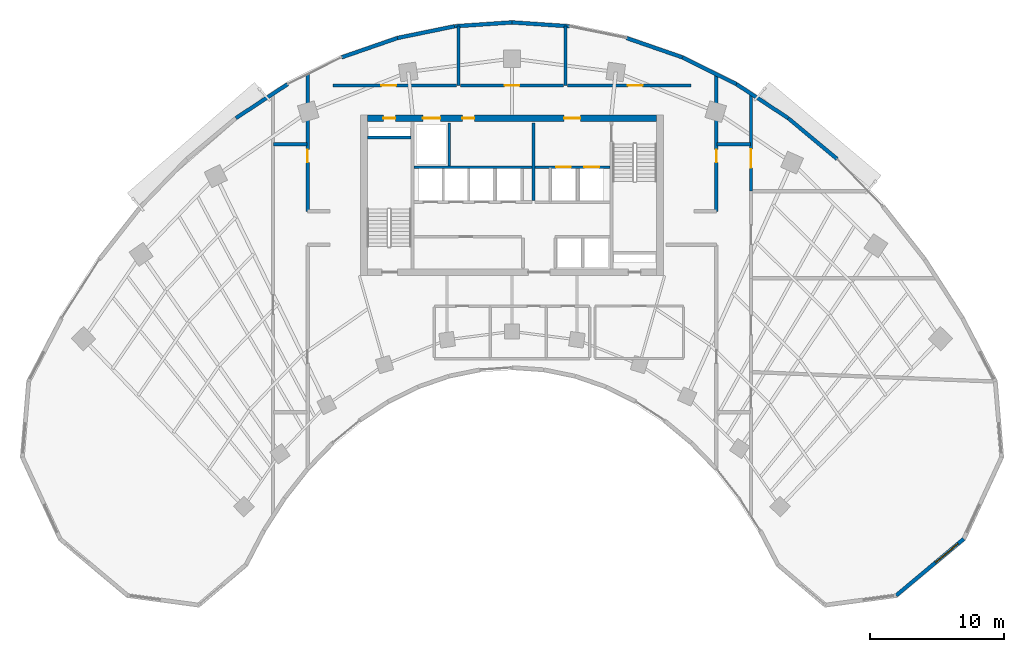
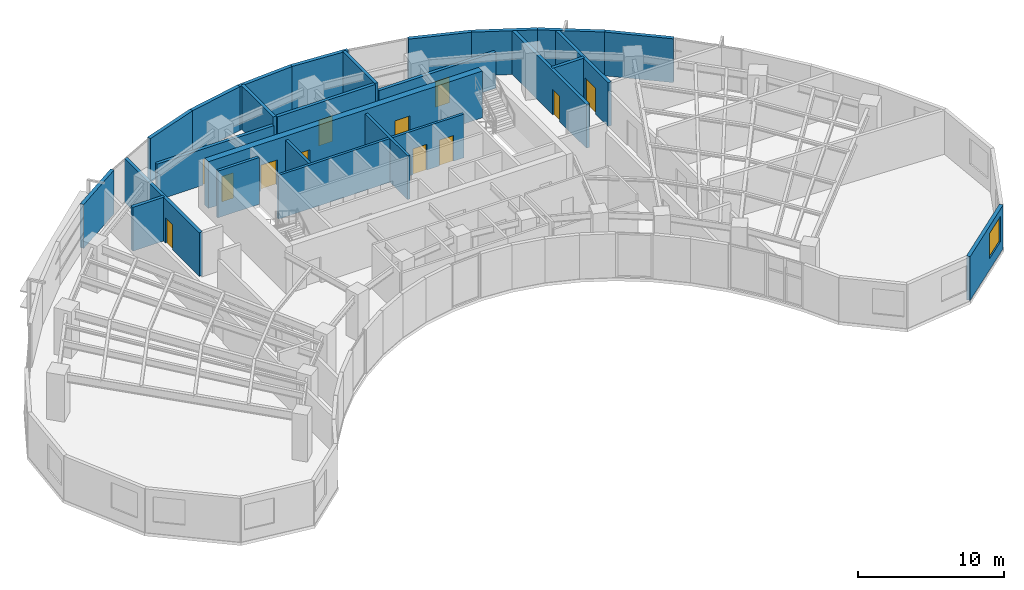
# One storey, part 10 of 13: 26 walls, 12 doors, 1 window, 13 openings.
"""IFC4 building model written with IfcOpenShell, lengths in metres."""

from ifc_helpers import new_model, si_unit, direction, frame, frame_2d, origin, place, context, subcontext, project, spatial, rectangle, extrude, source, transform, mapped, material, layer, layer_set, type_object, type_shapes, element, fill, save


model = new_model("IFC4")

# Units and contexts
model_context = context("Model", 3, precision=1e-05, world=origin(), true_north=direction((0.0, 1.0)))
body_context = subcontext(model_context, "Body", "Model", "MODEL_VIEW")
ifc_project = project(units=[si_unit("LENGTHUNIT", "METRE"), si_unit("AREAUNIT", "SQUARE_METRE"), si_unit("VOLUMEUNIT", "CUBIC_METRE"), si_unit("PLANEANGLEUNIT", "RADIAN"), si_unit("MASSUNIT", "GRAM", prefix="KILO")], contexts=[model_context])

# Site, building, storey
site_placement = place(None, origin())
site = spatial("IfcSite", under=ifc_project, at=site_placement, CompositionType="ELEMENT")
building_placement = place(site_placement, origin())
building = spatial("IfcBuilding", under=site, at=building_placement, Name="Breltana Convention Tower", CompositionType="ELEMENT")
storey_placement = place(building_placement, frame((0.0, 0.0, 127.199951171875)))
storey = spatial("IfcBuildingStorey", under=building, at=storey_placement, Name="L30", CompositionType="ELEMENT", Elevation=127.199951171875)

# Wall, openings, doors
ifc_material_1 = material(Name="Concrete C60/75", Category="concrete")
ifc_layer_1 = layer(ifc_material_1, 0.5, Name="Concrete C60/75")
ifc_layer_set_1 = layer_set([ifc_layer_1], Name="Concrete C60/75")
wall_type_1 = type_object("IfcWallType", Name="SW-CORE-500", PredefinedType="SHEAR", material=ifc_layer_set_1)
shared_shape_1 = source(origin(), body_context, "Body", "SweptSolid", [
    extrude(rectangle(XDim=21.60009765625, YDim=0.5, at=frame_2d((10.800048828125, 0.0))), origin(), (0.0, 0.0, 1.0), 3.900146484375),
])
wall_1_placement = place(storey_placement, frame((37.199951171875, 71.949951171875, 0.0), z_axis=(0.0, 0.0, 1.0), x_axis=(1.0, 0.0, 0.0)))
wall_1 = element("IfcWall", 1, at=wall_1_placement, inside=storey, type_object=wall_type_1, Name="L30 North Core Shear Wall", PredefinedType="SHEAR", context=body_context, shape_type="MappedRepresentation", body=[
    mapped(shared_shape_1, transform((0.0, 0.0, 0.0), scale=1.0)),
])
opening_1_placement = place(wall_1_placement, frame((1.199951171875, 0.0, 0.0)))
opening_1 = element("IfcOpeningElement", 2, at=opening_1_placement, cuts=wall_1, Name="Opening D-18", PredefinedType="OPENING", context=body_context, shape_type="SweptSolid", body=[
    extrude(rectangle(XDim=0.89990234375, YDim=2.10009765625, at=frame_2d((0.449951171875, 1.050048828125))), frame((0.0, 0.260009765625, 0.0), z_axis=(0.0, -1.0, 0.0), x_axis=(1.0, 0.0, 0.0)), (0.0, 0.0, 1.0), 0.52001953125),
])
opening_2_placement = place(wall_1_placement, frame((14.699951171875, 0.0, 0.0)))
opening_2 = element("IfcOpeningElement", 3, at=opening_2_placement, cuts=wall_1, Name="Opening D-09", PredefinedType="OPENING", context=body_context, shape_type="SweptSolid", body=[
    extrude(rectangle(XDim=1.199951171875, YDim=2.14990234375, at=frame_2d((0.60009765625, 1.074951171875))), frame((0.0, 0.260009765625, 0.0), z_axis=(0.0, -1.0, 0.0), x_axis=(1.0, 0.0, 0.0)), (0.0, 0.0, 1.0), 0.52001953125),
])
opening_3_placement = place(wall_1_placement, frame((4.14990234375, 0.0, 0.0)))
opening_3 = element("IfcOpeningElement", 4, at=opening_3_placement, cuts=wall_1, Name="Opening LD-01", PredefinedType="OPENING", context=body_context, shape_type="SweptSolid", body=[
    extrude(rectangle(XDim=1.300048828125, YDim=2.14990234375, at=frame_2d((0.64990234375, 1.074951171875))), frame((0.0, 0.260009765625, 0.0), z_axis=(0.0, -1.0, 0.0), x_axis=(1.0, 0.0, 0.0)), (0.0, 0.0, 1.0), 0.52001953125),
])
opening_4_placement = place(wall_1_placement, frame((7.10009765625, 0.0, 0.0)))
opening_4 = element("IfcOpeningElement", 5, at=opening_4_placement, cuts=wall_1, Name="Opening D-18", PredefinedType="OPENING", context=body_context, shape_type="SweptSolid", body=[
    extrude(rectangle(XDim=0.89990234375, YDim=2.10009765625, at=frame_2d((0.449951171875, 1.050048828125))), frame((0.0, 0.260009765625, 0.0), z_axis=(0.0, -1.0, 0.0), x_axis=(1.0, 0.0, 0.0)), (0.0, 0.0, 1.0), 0.52001953125),
])
ifc_material_2 = material(Name="Steel Riser Fire Door", Category="steel")
door_type_1 = type_object("IfcDoorType", Name="DR-FD60-900", OperationType="NOTDEFINED", PredefinedType="DOOR", material=ifc_material_2)
shared_shape_2 = source(origin(), body_context, "Body", "SweptSolid", [
    extrude(rectangle(XDim=0.89990234375, YDim=2.10009765625, at=frame_2d((0.449951171875, 1.050048828125))), frame((0.0, 0.02490234375, 0.0), z_axis=(0.0, -1.0, 0.0), x_axis=(1.0, 0.0, 0.0)), (0.0, 0.0, 1.0), 0.050048828125),
])
type_shapes(door_type_1, [shared_shape_2])
door_1_placement = place(opening_1_placement, origin())
door_1 = element("IfcDoor", 6, at=door_1_placement, inside=storey, type_object=door_type_1, Name="L30 Core Riser Access Door D-L30-RS1", OperationType="SINGLE_SWING_LEFT", OverallHeight=2.10009765625, OverallWidth=0.89990234375, PredefinedType="DOOR", context=body_context, shape_type="MappedRepresentation", body=[
    mapped(shared_shape_2, transform((0.0, 0.0, 0.0), scale=1.0)),
])
fill(opening_1, door_1)
door_2_placement = place(opening_4_placement, origin())
door_2 = element("IfcDoor", 7, at=door_2_placement, inside=storey, type_object=door_type_1, Name="L30 interior door D-L30-CRA1", OperationType="SINGLE_SWING_RIGHT", OverallHeight=2.10009765625, OverallWidth=0.89990234375, PredefinedType="DOOR", context=body_context, shape_type="MappedRepresentation", body=[
    mapped(shared_shape_2, transform((0.0, 0.0, 0.0), scale=1.0)),
])
fill(opening_4, door_2)
ifc_material_3 = material(Name="Steel Fire Lobby Door", Category="steel")
door_type_2 = type_object("IfcDoorType", Name="DR-FD120-1200", OperationType="NOTDEFINED", PredefinedType="DOOR", material=ifc_material_3)
shared_shape_3 = source(origin(), body_context, "Body", "SweptSolid", [
    extrude(rectangle(XDim=1.199951171875, YDim=2.14990234375, at=frame_2d((0.60009765625, 1.074951171875))), frame((0.0, 0.02490234375, 0.0), z_axis=(0.0, -1.0, 0.0), x_axis=(1.0, 0.0, 0.0)), (0.0, 0.0, 1.0), 0.050048828125),
])
type_shapes(door_type_2, [shared_shape_3])
door_3_placement = place(opening_2_placement, origin())
door_3 = element("IfcDoor", 8, at=door_3_placement, inside=storey, type_object=door_type_2, Name="L30 interior door D-L30-FFL-N", OperationType="SINGLE_SWING_RIGHT", OverallHeight=2.14990234375, OverallWidth=1.199951171875, PredefinedType="DOOR", context=body_context, shape_type="MappedRepresentation", body=[
    mapped(shared_shape_3, transform((0.0, 0.0, 0.0), scale=1.0)),
])
fill(opening_2, door_3)
ifc_material_4 = material(Name="Stainless Steel Brushed", Category="steel")
door_type_3 = type_object("IfcDoorType", Name="DR-LD-SRV-1300", OperationType="DOUBLE_DOOR_SLIDING", PredefinedType="DOOR", material=ifc_material_4)
shared_shape_4 = source(origin(), body_context, "Body", "SweptSolid", [
    extrude(rectangle(XDim=1.300048828125, YDim=2.14990234375, at=frame_2d((0.64990234375, 1.074951171875))), frame((0.0, 0.02490234375, 0.0), z_axis=(0.0, -1.0, 0.0), x_axis=(1.0, 0.0, 0.0)), (0.0, 0.0, 1.0), 0.050048828125),
])
type_shapes(door_type_3, [shared_shape_4])
door_4_placement = place(opening_3_placement, origin())
door_4 = element("IfcDoor", 9, at=door_4_placement, inside=storey, type_object=door_type_3, Name="L30 Lift Landing Door D-L30-LD-SV1", OperationType="DOUBLE_DOOR_SLIDING", OverallHeight=2.14990234375, OverallWidth=1.300048828125, PredefinedType="DOOR", context=body_context, shape_type="MappedRepresentation", body=[
    mapped(shared_shape_4, transform((0.0, 0.0, 0.0), scale=1.0)),
])
fill(opening_3, door_4)

# Wall
ifc_material_5 = material(Name="Concrete C50/60", Category="concrete")
ifc_layer_2 = layer(ifc_material_5, 0.39990234375, Name="Concrete C50/60")
ifc_layer_set_2 = layer_set([ifc_layer_2], Name="Concrete C50/60")
wall_type_2 = type_object("IfcWallType", Name="SW-CORE-400", PredefinedType="SHEAR", material=ifc_layer_set_2)
shared_shape_5 = source(origin(), body_context, "Body", "SweptSolid", [
    extrude(rectangle(XDim=3.27001953125, YDim=0.219970703125, at=frame_2d((1.635009765625, 0.0))), origin(), (0.0, 0.0, 1.0), 3.900146484375),
])
wall_2_placement = place(storey_placement, frame((37.199951171875, 70.510009765625, 0.0), z_axis=(0.0, 0.0, 1.0), x_axis=(1.0, 0.0, 0.0)))
element("IfcWall", 10, at=wall_2_placement, inside=storey, type_object=wall_type_2, Name="L30 ST-1 Stairwell North Bearing Wall", PredefinedType="SHEAR", context=body_context, shape_type="MappedRepresentation", body=[
    mapped(shared_shape_5, transform((0.0, 0.0, 0.0), scale=1.0)),
])

# Wall, opening, window
ifc_material_6 = material(Name="Limestone Buff Insulated Wall", Category="masonry")
ifc_layer_3 = layer(ifc_material_6, 0.280029296875, Name="Limestone Buff Insulated Wall")
ifc_layer_set_3 = layer_set([ifc_layer_3], Name="Limestone Buff Insulated Wall")
wall_type_3 = type_object("IfcWallType", Name="WL-EXT-NOSE-280", PredefinedType="SOLIDWALL", material=ifc_layer_set_3)
shared_shape_6 = source(origin(), body_context, "Body", "SweptSolid", [
    extrude(rectangle(XDim=6.572998046875, YDim=0.280029296875, at=frame_2d((3.28662109375, 0.0))), origin(), (0.0, 0.0, 1.0), 3.650146484375),
])
wall_3_placement = place(storey_placement, frame((81.725341796875, 40.541259765625, 0.0), z_axis=(0.0, 0.0, 1.0), x_axis=(-0.766715154163, -0.641987439423, 0.0)))
wall_3 = element("IfcWall", 11, at=wall_3_placement, inside=storey, type_object=wall_type_3, Name="L30 curved limestone nose wall E3", PredefinedType="SOLIDWALL", context=body_context, shape_type="MappedRepresentation", body=[
    mapped(shared_shape_6, transform((0.0, 0.0, 0.0), scale=1.0)),
])
opening_5_placement = place(wall_3_placement, frame((0.543212890625, 0.0, 0.949951171875)))
opening_5 = element("IfcOpeningElement", 12, at=opening_5_placement, cuts=wall_3, Name="Opening W-03", PredefinedType="OPENING", context=body_context, shape_type="SweptSolid", body=[
    extrude(rectangle(XDim=2.199951171875, YDim=2.10009765625, at=frame_2d((1.10009765625, 1.050048828125))), frame((0.0, 0.14990234375, 0.0), z_axis=(0.0, -1.0, 0.0), x_axis=(1.0, 0.0, 0.0)), (0.0, 0.0, 1.0), 0.300048828125),
])
ifc_material_7 = material(Name="Glass Low-E Insulated Window", Category="glass")
window_type = type_object("IfcWindowType", Name="WN-NOSE-2200X2100", PartitioningType="TRIPLE_PANEL_VERTICAL", PredefinedType="WINDOW", material=ifc_material_7)
shared_shape_7 = source(origin(), body_context, "Body", "SweptSolid", [
    extrude(rectangle(XDim=2.199951171875, YDim=2.10009765625, at=frame_2d((1.10009765625, 1.050048828125))), frame((0.0, 0.030029296875, 0.0), z_axis=(0.0, -1.0, 0.0), x_axis=(1.0, 0.0, 0.0)), (0.0, 0.0, 1.0), 0.06005859375),
])
type_shapes(window_type, [shared_shape_7])
window_placement = place(opening_5_placement, origin())
window = element("IfcWindow", 13, at=window_placement, inside=storey, type_object=window_type, Name="L30 nose window E3", OverallHeight=2.10009765625, OverallWidth=2.199951171875, PartitioningType="TRIPLE_PANEL_VERTICAL", PredefinedType="WINDOW", context=body_context, shape_type="MappedRepresentation", body=[
    mapped(shared_shape_7, transform((0.0, 0.0, 0.0), scale=1.0)),
])
fill(opening_5, window)

# Walls
shared_shape_8 = source(origin(), body_context, "Body", "SweptSolid", [
    extrude(rectangle(XDim=4.76220703125, YDim=0.280029296875, at=frame_2d((2.381103515625, 0.0))), origin(), (0.0, 0.0, 1.0), 3.650146484375),
])
wall_4_placement = place(storey_placement, frame((68.6181640625, 71.957763671875, 0.0), z_axis=(0.0, 0.0, 1.0), x_axis=(0.767952279762, -0.640507061638, 0.0)))
element("IfcWall", 14, at=wall_4_placement, inside=storey, type_object=wall_type_3, Name="L30 curved limestone nose wall E31", PredefinedType="SOLIDWALL", context=body_context, shape_type="MappedRepresentation", body=[
    mapped(shared_shape_8, transform((0.0, 0.0, 0.0), scale=1.0)),
])
shared_shape_9 = source(origin(), body_context, "Body", "SweptSolid", [
    extrude(rectangle(XDim=4.625732421875, YDim=0.280029296875, at=frame_2d((2.31298828125, 0.0))), origin(), (0.0, 0.0, 1.0), 3.650146484375),
])
for number, where, z_axis, x_axis, name in (
    (15, (27.3818359375, 71.957763671875, 0.0), (0.0, 0.0, 1.0), (0.83595938331, 0.548791316855, 0.0), "L30 curved limestone nose wall E23"),
    (16, (64.751220703125, 74.496337890625, 0.0), (0.0, 0.0, 1.0), (0.83595938331, -0.548791316855, 0.0), "L30 curved limestone nose wall E30"),
):
    element("IfcWall", number, at=place(storey_placement, frame(where, z_axis=z_axis, x_axis=x_axis)), inside=storey, type_object=wall_type_3, Name=name, PredefinedType="SOLIDWALL", context=body_context, shape_type="MappedRepresentation", body=[
        mapped(shared_shape_9, transform((0.0, 0.0, 0.0), scale=1.0)),
    ])
shared_shape_10 = source(origin(), body_context, "Body", "SweptSolid", [
    extrude(rectangle(XDim=4.408935546875, YDim=0.280029296875, at=frame_2d((2.20458984375, 0.0))), origin(), (0.0, 0.0, 1.0), 3.650146484375),
])
for number, where, z_axis, x_axis, name in (
    (17, (35.28564453125, 76.497314453125, 0.0), (0.0, 0.0, 1.0), (0.944879374121, 0.327418643881, 0.0), "L30 curved limestone nose wall E24"),
    (18, (56.54833984375, 77.94091796875, 0.0), (0.0, 0.0, 1.0), (0.944879374121, -0.327418643881, 0.0), "L30 curved limestone nose wall E28"),
):
    element("IfcWall", number, at=place(storey_placement, frame(where, z_axis=z_axis, x_axis=x_axis)), inside=storey, type_object=wall_type_3, Name=name, PredefinedType="SOLIDWALL", context=body_context, shape_type="MappedRepresentation", body=[
        mapped(shared_shape_10, transform((0.0, 0.0, 0.0), scale=1.0)),
    ])
shared_shape_11 = source(origin(), body_context, "Body", "SweptSolid", [
    extrude(rectangle(XDim=4.3408203125, YDim=0.280029296875, at=frame_2d((2.17041015625, 0.0))), origin(), (0.0, 0.0, 1.0), 3.650146484375),
])
wall_5_placement = place(storey_placement, frame((39.45166015625, 77.94091796875, 0.0), z_axis=(0.0, 0.0, 1.0), x_axis=(0.979612918634, 0.20089432457, 0.0)))
element("IfcWall", 19, at=wall_5_placement, inside=storey, type_object=wall_type_3, Name="L30 curved limestone nose wall E25", PredefinedType="SOLIDWALL", context=body_context, shape_type="MappedRepresentation", body=[
    mapped(shared_shape_11, transform((0.0, 0.0, 0.0), scale=1.0)),
])
shared_shape_12 = source(origin(), body_context, "Body", "SweptSolid", [
    extrude(rectangle(XDim=4.3056640625, YDim=0.280029296875, at=frame_2d((2.15283203125, 0.0))), origin(), (0.0, 0.0, 1.0), 3.650146484375),
])
for number, where, z_axis, x_axis, name in (
    (20, (43.7041015625, 78.81298828125, 0.0), (0.0, 0.0, 1.0), (0.997705679258, 0.067700646797, 0.0), "L30 curved limestone nose wall E26"),
    (21, (48.0, 79.1044921875, 0.0), (0.0, 0.0, 1.0), (0.997705679258, -0.067700646797, 0.0), "L30 curved limestone nose wall E27"),
):
    element("IfcWall", number, at=place(storey_placement, frame(where, z_axis=z_axis, x_axis=x_axis)), inside=storey, type_object=wall_type_3, Name=name, PredefinedType="SOLIDWALL", context=body_context, shape_type="MappedRepresentation", body=[
        mapped(shared_shape_12, transform((0.0, 0.0, 0.0), scale=1.0)),
    ])
shared_shape_13 = source(origin(), body_context, "Body", "SweptSolid", [
    extrude(rectangle(XDim=4.505615234375, YDim=0.280029296875, at=frame_2d((2.2529296875, 0.0))), origin(), (0.0, 0.0, 1.0), 3.650146484375),
])
wall_6_placement = place(storey_placement, frame((60.71435546875, 76.497314453125, 0.0), z_axis=(0.0, 0.0, 1.0), x_axis=(0.89597155075, -0.444111450254, 0.0)))
element("IfcWall", 22, at=wall_6_placement, inside=storey, type_object=wall_type_3, Name="L30 curved limestone nose wall E29", PredefinedType="SOLIDWALL", context=body_context, shape_type="MappedRepresentation", body=[
    mapped(shared_shape_13, transform((0.0, 0.0, 0.0), scale=1.0)),
])

# Wall, openings, doors
ifc_material_8 = material(Name="Autoclaved Aerated Concrete Block", Category="concrete")
ifc_layer_4 = layer(ifc_material_8, 0.199951171875, Name="Autoclaved Aerated Concrete Block")
ifc_layer_set_4 = layer_set([ifc_layer_4], Name="Autoclaved Aerated Concrete Block")
wall_type_4 = type_object("IfcWallType", Name="WL-SHAFT-200", PredefinedType="SOLIDWALL", material=ifc_layer_set_4)
shared_shape_14 = source(origin(), body_context, "Body", "SweptSolid", [
    extrude(rectangle(XDim=5.6201171875, YDim=0.199951171875, at=frame_2d((2.81005859375, 0.0))), origin(), (0.0, 0.0, 1.0), 3.650146484375),
])
wall_7_placement = place(storey_placement, frame((49.699951171875, 68.300048828125, 0.0), z_axis=(0.0, 0.0, 1.0), x_axis=(1.0, 0.0, 0.0)))
wall_7 = element("IfcWall", 23, at=wall_7_placement, inside=storey, type_object=wall_type_4, Name="L30 interior partition W-L30-FFL-S", PredefinedType="SOLIDWALL", context=body_context, shape_type="MappedRepresentation", body=[
    mapped(shared_shape_14, transform((0.0, 0.0, 0.0), scale=1.0)),
])
opening_6_placement = place(wall_7_placement, frame((1.60009765625, 0.0, 0.0)))
opening_6 = element("IfcOpeningElement", 24, at=opening_6_placement, cuts=wall_7, Name="Opening LD-03", PredefinedType="OPENING", context=body_context, shape_type="SweptSolid", body=[
    extrude(rectangle(XDim=1.10009765625, YDim=2.14990234375, at=frame_2d((0.550048828125, 1.074951171875))), frame((0.0, 0.10986328125, 0.0), z_axis=(0.0, -1.0, 0.0), x_axis=(1.0, 0.0, 0.0)), (0.0, 0.0, 1.0), 0.219970703125),
])
opening_7_placement = place(wall_7_placement, frame((3.699951171875, 0.0, 0.0)))
opening_7 = element("IfcOpeningElement", 25, at=opening_7_placement, cuts=wall_7, Name="Opening LD-03", PredefinedType="OPENING", context=body_context, shape_type="SweptSolid", body=[
    extrude(rectangle(XDim=1.10009765625, YDim=2.14990234375, at=frame_2d((0.550048828125, 1.074951171875))), frame((0.0, 0.10986328125, 0.0), z_axis=(0.0, -1.0, 0.0), x_axis=(1.0, 0.0, 0.0)), (0.0, 0.0, 1.0), 0.219970703125),
])
door_type_4 = type_object("IfcDoorType", Name="DR-LD-FF-1100", OperationType="DOUBLE_DOOR_SLIDING", PredefinedType="DOOR", material=ifc_material_4)
shared_shape_15 = source(origin(), body_context, "Body", "SweptSolid", [
    extrude(rectangle(XDim=1.10009765625, YDim=2.14990234375, at=frame_2d((0.550048828125, 1.074951171875))), frame((0.0, 0.02490234375, 0.0), z_axis=(0.0, -1.0, 0.0), x_axis=(1.0, 0.0, 0.0)), (0.0, 0.0, 1.0), 0.050048828125),
])
type_shapes(door_type_4, [shared_shape_15])
door_5_placement = place(opening_6_placement, origin())
door_5 = element("IfcDoor", 26, at=door_5_placement, inside=storey, type_object=door_type_4, Name="L30 Lift Landing Door D-L30-LD-FL1", OperationType="DOUBLE_DOOR_SLIDING", OverallHeight=2.14990234375, OverallWidth=1.10009765625, PredefinedType="DOOR", context=body_context, shape_type="MappedRepresentation", body=[
    mapped(shared_shape_15, transform((0.0, 0.0, 0.0), scale=1.0)),
])
fill(opening_6, door_5)
door_6_placement = place(opening_7_placement, origin())
door_6 = element("IfcDoor", 27, at=door_6_placement, inside=storey, type_object=door_type_4, Name="L30 Lift Landing Door D-L30-LD-FL2", OperationType="DOUBLE_DOOR_SLIDING", OverallHeight=2.14990234375, OverallWidth=1.10009765625, PredefinedType="DOOR", context=body_context, shape_type="MappedRepresentation", body=[
    mapped(shared_shape_15, transform((0.0, 0.0, 0.0), scale=1.0)),
])
fill(opening_7, door_6)

# Walls
shared_shape_16 = source(origin(), body_context, "Body", "SweptSolid", [
    extrude(rectangle(XDim=5.800048828125, YDim=0.199951171875, at=frame_2d((2.89990234375, 0.0))), origin(), (0.0, 0.0, 1.0), 3.650146484375),
])
wall_8_placement = place(storey_placement, frame((49.60009765625, 65.800048828125, 0.0), z_axis=(0.0, 0.0, 1.0), x_axis=(0.0, 1.0, 0.0)))
element("IfcWall", 28, at=wall_8_placement, inside=storey, type_object=wall_type_4, Name="L30 interior partition W-L30-FFL-W", PredefinedType="SOLIDWALL", context=body_context, shape_type="MappedRepresentation", body=[
    mapped(shared_shape_16, transform((0.0, 0.0, 0.0), scale=1.0)),
])
shared_shape_17 = source(origin(), body_context, "Body", "SweptSolid", [
    extrude(rectangle(XDim=3.2001953125, YDim=0.199951171875, at=frame_2d((1.60009765625, 0.0))), origin(), (0.0, 0.0, 1.0), 3.650146484375),
])
wall_9_placement = place(storey_placement, frame((43.320068359375, 68.39990234375, 0.0), z_axis=(0.0, 0.0, 1.0), x_axis=(0.0, 1.0, 0.0)))
element("IfcWall", 29, at=wall_9_placement, inside=storey, type_object=wall_type_4, Name="L30 interior partition W-L30-SV-E", PredefinedType="SOLIDWALL", context=body_context, shape_type="MappedRepresentation", body=[
    mapped(shared_shape_17, transform((0.0, 0.0, 0.0), scale=1.0)),
])
shared_shape_18 = source(origin(), body_context, "Body", "SweptSolid", [
    extrude(rectangle(XDim=8.800048828125, YDim=0.199951171875, at=frame_2d((4.39990234375, 0.0))), origin(), (0.0, 0.0, 1.0), 3.650146484375),
])
wall_10_placement = place(storey_placement, frame((40.699951171875, 68.300048828125, 0.0), z_axis=(0.0, 0.0, 1.0), x_axis=(1.0, 0.0, 0.0)))
element("IfcWall", 30, at=wall_10_placement, inside=storey, type_object=wall_type_4, Name="L30 interior partition W-L30-SV-S", PredefinedType="SOLIDWALL", context=body_context, shape_type="MappedRepresentation", body=[
    mapped(shared_shape_18, transform((0.0, 0.0, 0.0), scale=1.0)),
])
ifc_material_9 = material(Name="Gypsum Acoustic Double Stud Wall")
ifc_layer_5 = layer(ifc_material_9, 0.25, Name="Gypsum Acoustic Double Stud Wall")
ifc_layer_set_5 = layer_set([ifc_layer_5], Name="Gypsum Acoustic Double Stud Wall")
wall_type_5 = type_object("IfcWallType", Name="WL-ACOUSTIC-250", PredefinedType="PARTITIONING", material=ifc_layer_set_5)
shared_shape_19 = source(origin(), body_context, "Body", "SweptSolid", [
    extrude(rectangle(XDim=2.5, YDim=0.25, at=frame_2d((1.25, 0.0))), origin(), (0.0, 0.0, 1.0), 3.650146484375),
])
for number, where, z_axis, x_axis, name in (
    (31, (30.199951171875, 70.0, 0.0), (0.0, 0.0, 1.0), (1.0, 0.0, 0.0), "L30 interior partition W-L30-CORNW-N"),
    (32, (63.300048828125, 70.0, 0.0), (0.0, 0.0, 1.0), (1.0, 0.0, 0.0), "L30 interior partition W-L30-CORNE-N"),
):
    element("IfcWall", number, at=place(storey_placement, frame(where, z_axis=z_axis, x_axis=x_axis)), inside=storey, type_object=wall_type_5, Name=name, PredefinedType="PARTITIONING", context=body_context, shape_type="MappedRepresentation", body=[
        mapped(shared_shape_19, transform((0.0, 0.0, 0.0), scale=1.0)),
    ])

# Wall, opening, door
shared_shape_20 = source(origin(), body_context, "Body", "SweptSolid", [
    extrude(rectangle(XDim=7.26953125, YDim=0.25, at=frame_2d((3.634765625, 0.0))), origin(), (0.0, 0.0, 1.0), 3.650146484375),
])
wall_11_placement = place(storey_placement, frame((65.840087890625, 66.5, 0.0), z_axis=(0.0, 0.0, 1.0), x_axis=(0.0, 1.0, 0.0)))
wall_11 = element("IfcWall", 33, at=wall_11_placement, inside=storey, type_object=wall_type_5, Name="L30 interior partition W-L30-ZE4-W", PredefinedType="PARTITIONING", context=body_context, shape_type="MappedRepresentation", body=[
    mapped(shared_shape_20, transform((0.0, 0.0, 0.0), scale=1.0)),
])
opening_8_placement = place(wall_11_placement, frame((1.75, 0.0, 0.0)))
opening_8 = element("IfcOpeningElement", 34, at=opening_8_placement, cuts=wall_11, Name="Opening D-05", PredefinedType="OPENING", context=body_context, shape_type="SweptSolid", body=[
    extrude(rectangle(XDim=1.39990234375, YDim=2.14990234375, at=frame_2d((0.699951171875, 1.074951171875))), frame((0.0, 0.135009765625, 0.0), z_axis=(0.0, -1.0, 0.0), x_axis=(1.0, 0.0, 0.0)), (0.0, 0.0, 1.0), 0.27001953125),
])
ifc_material_10 = material(Name="Timber Veneer Glazed Double Door", Category="wood")
door_type_5 = type_object("IfcDoorType", Name="DR-DBL-1400", OperationType="DOUBLE_DOOR_SINGLE_SWING", PredefinedType="DOOR", material=ifc_material_10)
shared_shape_21 = source(origin(), body_context, "Body", "SweptSolid", [
    extrude(rectangle(XDim=1.39990234375, YDim=2.14990234375, at=frame_2d((0.699951171875, 1.074951171875))), frame((0.0, 0.02490234375, 0.0), z_axis=(0.0, -1.0, 0.0), x_axis=(1.0, 0.0, 0.0)), (0.0, 0.0, 1.0), 0.050048828125),
])
type_shapes(door_type_5, [shared_shape_21])
door_7_placement = place(opening_8_placement, origin())
door_7 = element("IfcDoor", 35, at=door_7_placement, inside=storey, type_object=door_type_5, Name="L30 interior door D-L30-ZE4", OperationType="SINGLE_SWING_RIGHT", OverallHeight=2.14990234375, OverallWidth=1.39990234375, PredefinedType="DOOR", context=body_context, shape_type="MappedRepresentation", body=[
    mapped(shared_shape_21, transform((0.0, 0.0, 0.0), scale=1.0)),
])
fill(opening_8, door_7)

# Walls
shared_shape_22 = source(origin(), body_context, "Body", "SweptSolid", [
    extrude(rectangle(XDim=4.423095703125, YDim=0.25, at=frame_2d((2.21142578125, 0.0))), origin(), (0.0, 0.0, 1.0), 3.650146484375),
])
for number, where, z_axis, x_axis, name in (
    (36, (44.0, 74.39990234375, 0.0), (0.0, 0.0, 1.0), (0.0, 1.0, 0.0), "L30 interior partition W-L30-ZN1-E"),
    (37, (52.0, 74.39990234375, 0.0), (0.0, 0.0, 1.0), (0.0, 1.0, 0.0), "L30 interior partition W-L30-ZN2-E"),
):
    element("IfcWall", number, at=place(storey_placement, frame(where, z_axis=z_axis, x_axis=x_axis)), inside=storey, type_object=wall_type_5, Name=name, PredefinedType="PARTITIONING", context=body_context, shape_type="MappedRepresentation", body=[
        mapped(shared_shape_22, transform((0.0, 0.0, 0.0), scale=1.0)),
    ])

# Wall, opening, door
shared_shape_23 = source(origin(), body_context, "Body", "SweptSolid", [
    extrude(rectangle(XDim=7.7001953125, YDim=0.25, at=frame_2d((3.85009765625, 0.0))), origin(), (0.0, 0.0, 1.0), 3.650146484375),
])
wall_12_placement = place(storey_placement, frame((44.14990234375, 74.39990234375, 0.0), z_axis=(0.0, 0.0, 1.0), x_axis=(1.0, 0.0, 0.0)))
wall_12 = element("IfcWall", 38, at=wall_12_placement, inside=storey, type_object=wall_type_5, Name="L30 interior partition W-L30-ZN2-S", PredefinedType="PARTITIONING", context=body_context, shape_type="MappedRepresentation", body=[
    mapped(shared_shape_23, transform((0.0, 0.0, 0.0), scale=1.0)),
])
opening_9_placement = place(wall_12_placement, frame((3.300048828125, 0.0, 0.0)))
opening_9 = element("IfcOpeningElement", 39, at=opening_9_placement, cuts=wall_12, Name="Opening D-12", PredefinedType="OPENING", context=body_context, shape_type="SweptSolid", body=[
    extrude(rectangle(XDim=1.10009765625, YDim=2.14990234375, at=frame_2d((0.550048828125, 1.074951171875))), frame((0.0, 0.135009765625, 0.0), z_axis=(0.0, -1.0, 0.0), x_axis=(1.0, 0.0, 0.0)), (0.0, 0.0, 1.0), 0.27001953125),
])
ifc_material_11 = material(Name="Timber Oak Acoustic Door", Category="wood")
door_type_6 = type_object("IfcDoorType", Name="DR-INT-1100", OperationType="NOTDEFINED", PredefinedType="DOOR", material=ifc_material_11)
shared_shape_24 = source(origin(), body_context, "Body", "SweptSolid", [
    extrude(rectangle(XDim=1.10009765625, YDim=2.14990234375, at=frame_2d((0.550048828125, 1.074951171875))), frame((0.0, 0.02490234375, 0.0), z_axis=(0.0, -1.0, 0.0), x_axis=(1.0, 0.0, 0.0)), (0.0, 0.0, 1.0), 0.050048828125),
])
type_shapes(door_type_6, [shared_shape_24])
door_8_placement = place(opening_9_placement, origin())
door_8 = element("IfcDoor", 40, at=door_8_placement, inside=storey, type_object=door_type_6, Name="L30 interior door D-L30-ZN2", OperationType="SINGLE_SWING_RIGHT", OverallHeight=2.14990234375, OverallWidth=1.10009765625, PredefinedType="DOOR", context=body_context, shape_type="MappedRepresentation", body=[
    mapped(shared_shape_24, transform((0.0, 0.0, 0.0), scale=1.0)),
])
fill(opening_9, door_8)

shared_shape_25 = source(origin(), body_context, "Body", "SweptSolid", [
    extrude(rectangle(XDim=10.224365234375, YDim=0.25, at=frame_2d((5.1123046875, 0.0))), origin(), (0.0, 0.0, 1.0), 3.650146484375),
])
wall_13_placement = place(storey_placement, frame((32.739990234375, 65.0, 0.0), z_axis=(0.0, 0.0, 1.0), x_axis=(0.0, 1.0, 0.0)))
wall_13 = element("IfcWall", 41, at=wall_13_placement, inside=storey, type_object=wall_type_5, Name="L30 interior partition W-L30-ZMW2-D", PredefinedType="PARTITIONING", context=body_context, shape_type="MappedRepresentation", body=[
    mapped(shared_shape_25, transform((0.0, 0.0, 0.0), scale=1.0)),
])
opening_10_placement = place(wall_13_placement, frame((3.64990234375, 0.0, 0.0)))
opening_10 = element("IfcOpeningElement", 42, at=opening_10_placement, cuts=wall_13, Name="Opening D-17", PredefinedType="OPENING", context=body_context, shape_type="SweptSolid", body=[
    extrude(rectangle(XDim=0.949951171875, YDim=2.10009765625, at=frame_2d((0.47509765625, 1.050048828125))), frame((0.0, 0.135009765625, 0.0), z_axis=(0.0, -1.0, 0.0), x_axis=(1.0, 0.0, 0.0)), (0.0, 0.0, 1.0), 0.27001953125),
])
ifc_material_12 = material(Name="Timber Oak Veneer Door", Category="wood")
door_type_7 = type_object("IfcDoorType", Name="DR-INT-950", OperationType="NOTDEFINED", PredefinedType="DOOR", material=ifc_material_12)
shared_shape_26 = source(origin(), body_context, "Body", "SweptSolid", [
    extrude(rectangle(XDim=0.949951171875, YDim=2.10009765625, at=frame_2d((0.47509765625, 1.050048828125))), frame((0.0, 0.02490234375, 0.0), z_axis=(0.0, -1.0, 0.0), x_axis=(1.0, 0.0, 0.0)), (0.0, 0.0, 1.0), 0.050048828125),
])
type_shapes(door_type_7, [shared_shape_26])
door_9_placement = place(opening_10_placement, origin())
door_9 = element("IfcDoor", 43, at=door_9_placement, inside=storey, type_object=door_type_7, Name="L30 interior door D-L30-ZMW2", OperationType="SINGLE_SWING_LEFT", OverallHeight=2.10009765625, OverallWidth=0.949951171875, PredefinedType="DOOR", context=body_context, shape_type="MappedRepresentation", body=[
    mapped(shared_shape_26, transform((0.0, 0.0, 0.0), scale=1.0)),
])
fill(opening_10, door_9)

wall_14_placement = place(storey_placement, frame((63.260009765625, 65.0, 0.0), z_axis=(0.0, 0.0, 1.0), x_axis=(0.0, 1.0, 0.0)))
wall_14 = element("IfcWall", 44, at=wall_14_placement, inside=storey, type_object=wall_type_5, Name="L30 interior partition W-L30-ZME2-D", PredefinedType="PARTITIONING", context=body_context, shape_type="MappedRepresentation", body=[
    mapped(shared_shape_25, transform((0.0, 0.0, 0.0), scale=1.0)),
])
opening_11_placement = place(wall_14_placement, frame((3.64990234375, 0.0, 0.0)))
opening_11 = element("IfcOpeningElement", 45, at=opening_11_placement, cuts=wall_14, Name="Opening D-17", PredefinedType="OPENING", context=body_context, shape_type="SweptSolid", body=[
    extrude(rectangle(XDim=0.949951171875, YDim=2.10009765625, at=frame_2d((0.47509765625, 1.050048828125))), frame((0.0, 0.135009765625, 0.0), z_axis=(0.0, -1.0, 0.0), x_axis=(1.0, 0.0, 0.0)), (0.0, 0.0, 1.0), 0.27001953125),
])
door_10_placement = place(opening_11_placement, origin())
door_10 = element("IfcDoor", 46, at=door_10_placement, inside=storey, type_object=door_type_7, Name="L30 interior door D-L30-ZME2", OperationType="SINGLE_SWING_LEFT", OverallHeight=2.10009765625, OverallWidth=0.949951171875, PredefinedType="DOOR", context=body_context, shape_type="MappedRepresentation", body=[
    mapped(shared_shape_26, transform((0.0, 0.0, 0.0), scale=1.0)),
])
fill(opening_11, door_10)

shared_shape_27 = source(origin(), body_context, "Body", "SweptSolid", [
    extrude(rectangle(XDim=9.2001953125, YDim=0.25, at=frame_2d((4.60009765625, 0.0))), origin(), (0.0, 0.0, 1.0), 3.02197265625),
])
wall_15_placement = place(storey_placement, frame((34.64990234375, 74.39990234375, 0.0), z_axis=(0.0, 0.0, 1.0), x_axis=(1.0, 0.0, 0.0)))
wall_15 = element("IfcWall", 47, at=wall_15_placement, inside=storey, type_object=wall_type_5, Name="L30 interior partition W-L30-ZN1-S", PredefinedType="PARTITIONING", context=body_context, shape_type="MappedRepresentation", body=[
    mapped(shared_shape_27, transform((0.0, 0.0, 0.0), scale=1.0)),
])
opening_12_placement = place(wall_15_placement, frame((3.60009765625, 0.0, 0.0)))
opening_12 = element("IfcOpeningElement", 48, at=opening_12_placement, cuts=wall_15, Name="Opening D-12", PredefinedType="OPENING", context=body_context, shape_type="SweptSolid", body=[
    extrude(rectangle(XDim=1.10009765625, YDim=2.14990234375, at=frame_2d((0.550048828125, 1.074951171875))), frame((0.0, 0.135009765625, 0.0), z_axis=(0.0, -1.0, 0.0), x_axis=(1.0, 0.0, 0.0)), (0.0, 0.0, 1.0), 0.27001953125),
])
door_11_placement = place(opening_12_placement, origin())
door_11 = element("IfcDoor", 49, at=door_11_placement, inside=storey, type_object=door_type_6, Name="L30 interior door D-L30-ZN1", OperationType="SINGLE_SWING_LEFT", OverallHeight=2.14990234375, OverallWidth=1.10009765625, PredefinedType="DOOR", context=body_context, shape_type="MappedRepresentation", body=[
    mapped(shared_shape_24, transform((0.0, 0.0, 0.0), scale=1.0)),
])
fill(opening_12, door_11)

wall_16_placement = place(storey_placement, frame((52.14990234375, 74.39990234375, 0.0), z_axis=(0.0, 0.0, 1.0), x_axis=(1.0, 0.0, 0.0)))
wall_16 = element("IfcWall", 50, at=wall_16_placement, inside=storey, type_object=wall_type_5, Name="L30 interior partition W-L30-ZN3-S", PredefinedType="PARTITIONING", context=body_context, shape_type="MappedRepresentation", body=[
    mapped(shared_shape_27, transform((0.0, 0.0, 0.0), scale=1.0)),
])
opening_13_placement = place(wall_16_placement, frame((4.5, 0.0, 0.0)))
opening_13 = element("IfcOpeningElement", 51, at=opening_13_placement, cuts=wall_16, Name="Opening D-12", PredefinedType="OPENING", context=body_context, shape_type="SweptSolid", body=[
    extrude(rectangle(XDim=1.10009765625, YDim=2.14990234375, at=frame_2d((0.550048828125, 1.074951171875))), frame((0.0, 0.135009765625, 0.0), z_axis=(0.0, -1.0, 0.0), x_axis=(1.0, 0.0, 0.0)), (0.0, 0.0, 1.0), 0.27001953125),
])
door_12_placement = place(opening_13_placement, origin())
door_12 = element("IfcDoor", 52, at=door_12_placement, inside=storey, type_object=door_type_6, Name="L30 interior door D-L30-ZN3", OperationType="SINGLE_SWING_LEFT", OverallHeight=2.14990234375, OverallWidth=1.10009765625, PredefinedType="DOOR", context=body_context, shape_type="MappedRepresentation", body=[
    mapped(shared_shape_24, transform((0.0, 0.0, 0.0), scale=1.0)),
])
fill(opening_13, door_12)

save(model, "model.ifc")
